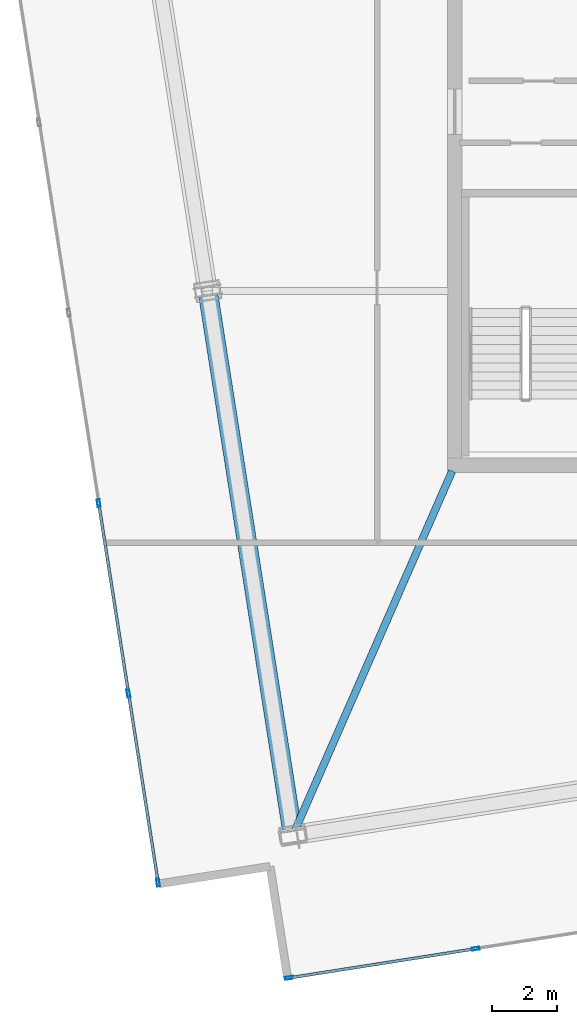
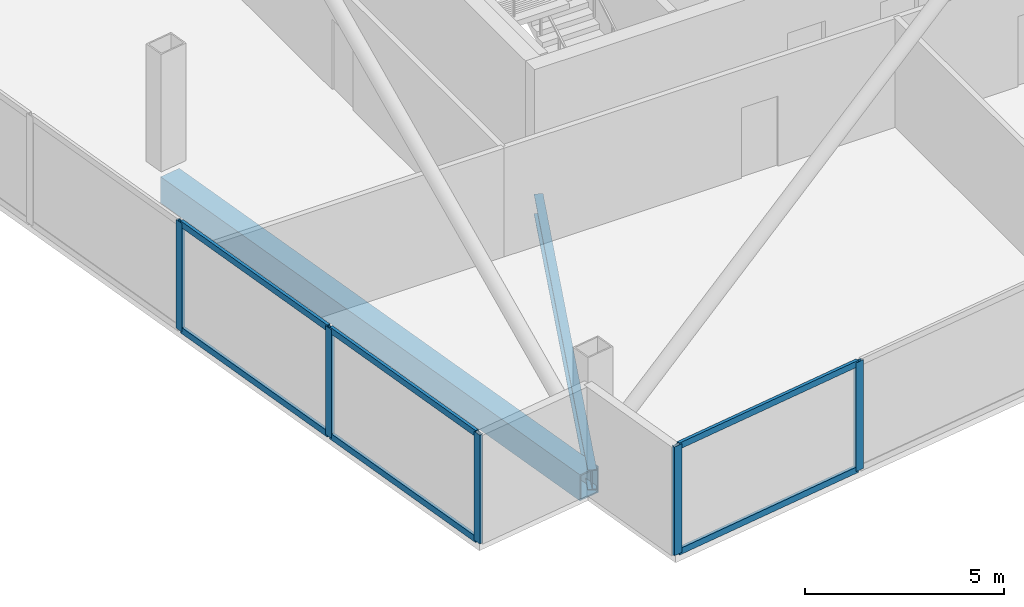
# One storey, part 2 of 21: 11 members, 2 beams, 2 elements without a shape of their own.
"""IFC4 building model written with IfcOpenShell, lengths in metres."""

from ifc_helpers import new_model, si_unit, direction, frame, origin, origin_2d, place, context, subcontext, project, spatial, hollow_rectangle, i_section, extrude, material, material_profile, profile_set, type_object, element, aggregate, save


model = new_model("IFC4")

# Units and contexts
model_context = context("Model", 3, precision=1e-05, world=origin(), true_north=direction((0.0, 1.0)))
body_context = subcontext(model_context, "Body", "Model", "MODEL_VIEW")
ifc_project = project(units=[si_unit("LENGTHUNIT", "METRE"), si_unit("AREAUNIT", "SQUARE_METRE"), si_unit("VOLUMEUNIT", "CUBIC_METRE"), si_unit("PLANEANGLEUNIT", "RADIAN"), si_unit("MASSUNIT", "GRAM", prefix="KILO")], contexts=[model_context])

# Site, building, storey
site_placement = place(None, origin())
site = spatial("IfcSite", under=ifc_project, at=site_placement, CompositionType="ELEMENT")
building_placement = place(site_placement, origin())
building = spatial("IfcBuilding", under=site, at=building_placement, Name="Haldenkirk Collegiate Tower", CompositionType="ELEMENT")
storey_placement = place(building_placement, frame((0.0, 0.0, 360.60009765625)))
storey = spatial("IfcBuildingStorey", under=building, at=storey_placement, Name="L91", CompositionType="ELEMENT", Elevation=360.60009765625)

# Beams
ifc_material_1 = material(Name="Steel ASTM A992 Grade 50", Category="steel")
ifc_material_profile_1 = material_profile(ifc_material_1, i_section(OverallWidth=0.22998046875, OverallDepth=0.616943359375, WebThickness=0.01318359375, FlangeThickness=0.022216796875, at=origin_2d()), Name="W24X94")
ifc_profile_set_1 = profile_set([ifc_material_profile_1], Name="Steel ASTM A992 Grade 50")
beam_type_1 = type_object("IfcBeamType", Name="BM-GIRDER-W24X94", PredefinedType="BEAM", material=ifc_profile_set_1)
beam_1_placement = place(storey_placement, frame((22.05078125, 6.685791015625, -0.57861328125), z_axis=(0.400769288395, 0.916179009517, 0.0), x_axis=(-0.916179009517, 0.400769288395, 0.0)))
element("IfcBeam", 1, at=beam_1_placement, inside=storey, type_object=beam_type_1, Name="L91 crown radial floor beam 7", PredefinedType="BEAM", context=body_context, shape_type="SweptSolid", body=[
    extrude(i_section(OverallWidth=0.22998046875, OverallDepth=0.616943359375, WebThickness=0.01318359375, FlangeThickness=0.022216796875, at=origin_2d()), origin(), (0.0, 0.0, 1.0), 12.1494140625),
])
ifc_material_2 = material(Name="Steel ASTM A572 Grade 50", Category="steel")
ifc_material_profile_2 = material_profile(ifc_material_2, hollow_rectangle(XDim=0.60009765625, YDim=0.800048828125, WallThickness=0.0400390625, at=origin_2d()), Name="BOX800X600X40")
ifc_profile_set_2 = profile_set([ifc_material_profile_2], Name="Steel ASTM A572 Grade 50")
beam_type_2 = type_object("IfcBeamType", Name="BM-SPANDREL-BOX800X600X40", PredefinedType="SPANDREL", material=ifc_profile_set_2)
beam_2_placement = place(storey_placement, frame((19.376220703125, 23.244873046875, -0.670166015625), z_axis=(0.154705009471, -0.987960707743, 0.0), x_axis=(0.987960707743, 0.154705009471, 0.0)))
element("IfcBeam", 2, at=beam_2_placement, inside=storey, type_object=beam_type_2, Name="L91 Crown Ring Frame perimeter girder 6", PredefinedType="SPANDREL", context=body_context, shape_type="SweptSolid", body=[
    extrude(hollow_rectangle(XDim=0.60009765625, YDim=0.800048828125, WallThickness=0.0400390625, at=origin_2d()), origin(), (0.0, 0.0, 1.0), 16.75),
])

# Curtain wall, members
ifc_material_3 = material(Name="Anodised architectural bronze aluminium", Category="aluminium")
curtain_wall_type = type_object("IfcCurtainWallType", Name="CW-SYS6-CROWN", PredefinedType="USERDEFINED", material=ifc_material_3)
curtain_wall_1_placement = place(storey_placement, origin())
curtain_wall_1 = element("IfcCurtainWall", 3, at=curtain_wall_1_placement, inside=storey, type_object=curtain_wall_type, Name="L91 Closed crown ring ceramic-fritted bronze screen curtain wall", ObjectType="UNITISED CURTAIN WALL", PredefinedType="USERDEFINED")
ifc_material_profile_3 = material_profile(ifc_material_3, hollow_rectangle(XDim=0.090087890625, YDim=0.239990234375, WallThickness=0.0048828125, at=origin_2d()), Name="CW-MUL-06")
ifc_profile_set_3 = profile_set([ifc_material_profile_3], Name="Anodised architectural bronze aluminium")
member_type_1 = type_object("IfcMemberType", Name="CW-MUL-06", PredefinedType="MULLION", material=ifc_profile_set_3)
member_1_placement = place(storey_placement, frame((17.817626953125, 5.080078125, 0.0), z_axis=(0.0, 0.0, 1.0), x_axis=(-0.987959532462, -0.154712514742, 0.0)))
member_1 = element("IfcMember", 4, at=member_1_placement, type_object=member_type_1, Name="CW-06 mullion 1", PredefinedType="MULLION", context=body_context, shape_type="SweptSolid", body=[
    extrude(hollow_rectangle(XDim=0.090087890625, YDim=0.239990234375, WallThickness=0.0048828125, at=origin_2d()), origin(), (0.0, 0.0, 1.0), 3.329833984375),
])
member_2_placement = place(storey_placement, frame((16.9013671875, 10.930419921875, 0.0), z_axis=(0.0, 0.0, 1.0), x_axis=(-0.987959532462, -0.154712514742, 0.0)))
member_2 = element("IfcMember", 5, at=member_2_placement, type_object=member_type_1, Name="CW-06 mullion 2", PredefinedType="MULLION", context=body_context, shape_type="SweptSolid", body=[
    extrude(hollow_rectangle(XDim=0.090087890625, YDim=0.239990234375, WallThickness=0.0048828125, at=origin_2d()), origin(), (0.0, 0.0, 1.0), 3.329833984375),
])
member_3_placement = place(storey_placement, frame((15.978271484375, 16.825439453125, 0.0), z_axis=(0.0, 0.0, 1.0), x_axis=(-0.987959532462, -0.154712514742, 0.0)))
member_3 = element("IfcMember", 6, at=member_3_placement, type_object=member_type_1, Name="CW-06 mullion 3", PredefinedType="MULLION", context=body_context, shape_type="SweptSolid", body=[
    extrude(hollow_rectangle(XDim=0.090087890625, YDim=0.239990234375, WallThickness=0.0048828125, at=origin_2d()), origin(), (0.0, 0.0, 1.0), 3.329833984375),
])

curtain_wall_2_placement = place(storey_placement, origin())
curtain_wall_2 = element("IfcCurtainWall", 7, at=curtain_wall_2_placement, inside=storey, type_object=curtain_wall_type, Name="L91 Closed crown ring ceramic-fritted bronze screen curtain wall", ObjectType="UNITISED CURTAIN WALL", PredefinedType="USERDEFINED")
member_4_placement = place(storey_placement, frame((27.65283203125, 3.031982421875, 0.0), z_axis=(0.0, 0.0, 1.0), x_axis=(0.154708982189, -0.987960085646, 0.0)))
member_4 = element("IfcMember", 8, at=member_4_placement, type_object=member_type_1, Name="CW-06 mullion 6", PredefinedType="MULLION", context=body_context, shape_type="SweptSolid", body=[
    extrude(hollow_rectangle(XDim=0.090087890625, YDim=0.239990234375, WallThickness=0.0048828125, at=origin_2d()), origin(), (0.0, 0.0, 1.0), 3.329833984375),
])
member_5_placement = place(storey_placement, frame((21.868408203125, 2.126220703125, 0.0), z_axis=(0.0, 0.0, 1.0), x_axis=(0.154708982189, -0.987960085646, 0.0)))
member_5 = element("IfcMember", 9, at=member_5_placement, type_object=member_type_1, Name="CW-06 mullion 7", PredefinedType="MULLION", context=body_context, shape_type="SweptSolid", body=[
    extrude(hollow_rectangle(XDim=0.090087890625, YDim=0.239990234375, WallThickness=0.0048828125, at=origin_2d()), origin(), (0.0, 0.0, 1.0), 3.329833984375),
])

# Member
ifc_material_profile_4 = material_profile(ifc_material_3, hollow_rectangle(XDim=0.090087890625, YDim=0.18994140625, WallThickness=0.0048828125, at=origin_2d()), Name="CW-TRN-06")
ifc_profile_set_4 = profile_set([ifc_material_profile_4], Name="Anodised architectural bronze aluminium")
member_type_2 = type_object("IfcMemberType", Name="CW-TRN-06", PredefinedType="USERDEFINED", material=ifc_profile_set_4)
member_6_placement = place(storey_placement, frame((17.810791015625, 5.12451171875, 0.044921875), z_axis=(-0.154730622105, 0.987956696714, 0.0), x_axis=(-0.987956696714, -0.154730622105, 0.0)))
member_6 = element("IfcMember", 10, at=member_6_placement, type_object=member_type_2, Name="CW-06 transom 1.1", ObjectType="TRANSOM", PredefinedType="USERDEFINED", context=body_context, shape_type="SweptSolid", body=[
    extrude(hollow_rectangle(XDim=0.090087890625, YDim=0.18994140625, WallThickness=0.0048828125, at=origin_2d()), origin(), (0.0, 0.0, 1.0), 5.831787109375),
])

member_7_placement = place(storey_placement, frame((17.810791015625, 5.12451171875, 3.284912109375), z_axis=(-0.154730622105, 0.987956696714, 0.0), x_axis=(-0.987956696714, -0.154730622105, 0.0)))
member_7 = element("IfcMember", 11, at=member_7_placement, type_object=member_type_2, Name="CW-06 transom 1.2", ObjectType="TRANSOM", PredefinedType="USERDEFINED", context=body_context, shape_type="SweptSolid", body=[
    extrude(hollow_rectangle(XDim=0.090087890625, YDim=0.18994140625, WallThickness=0.0048828125, at=origin_2d()), origin(), (0.0, 0.0, 1.0), 5.831787109375),
])

member_8_placement = place(storey_placement, frame((16.89453125, 10.974853515625, 0.044921875), z_axis=(-0.154710174658, 0.987959898912, 0.0), x_axis=(-0.987959898912, -0.154710174658, 0.0)))
member_8 = element("IfcMember", 12, at=member_8_placement, type_object=member_type_2, Name="CW-06 transom 2.1", ObjectType="TRANSOM", PredefinedType="USERDEFINED", context=body_context, shape_type="SweptSolid", body=[
    extrude(hollow_rectangle(XDim=0.090087890625, YDim=0.18994140625, WallThickness=0.0048828125, at=origin_2d()), origin(), (0.0, 0.0, 1.0), 5.876708984375),
])

member_9_placement = place(storey_placement, frame((16.89453125, 10.974853515625, 3.284912109375), z_axis=(-0.154710174658, 0.987959898912, 0.0), x_axis=(-0.987959898912, -0.154710174658, 0.0)))
member_9 = element("IfcMember", 13, at=member_9_placement, type_object=member_type_2, Name="CW-06 transom 2.2", ObjectType="TRANSOM", PredefinedType="USERDEFINED", context=body_context, shape_type="SweptSolid", body=[
    extrude(hollow_rectangle(XDim=0.090087890625, YDim=0.18994140625, WallThickness=0.0048828125, at=origin_2d()), origin(), (0.0, 0.0, 1.0), 5.876708984375),
])

aggregate(curtain_wall_1, [member_1, member_2, member_3, member_6, member_7, member_8, member_9])

member_10_placement = place(storey_placement, frame((27.6083984375, 3.025146484375, 0.044921875), z_axis=(-0.987961315074, -0.154701130951, 0.0), x_axis=(0.154701130951, -0.987961315074, 0.0)))
member_10 = element("IfcMember", 14, at=member_10_placement, type_object=member_type_2, Name="CW-06 transom 6.1", ObjectType="TRANSOM", PredefinedType="USERDEFINED", context=body_context, shape_type="SweptSolid", body=[
    extrude(hollow_rectangle(XDim=0.090087890625, YDim=0.18994140625, WallThickness=0.0048828125, at=origin_2d()), origin(), (0.0, 0.0, 1.0), 5.764892578125),
])

member_11_placement = place(storey_placement, frame((27.6083984375, 3.025146484375, 3.284912109375), z_axis=(-0.987961315074, -0.154701130951, 0.0), x_axis=(0.154701130951, -0.987961315074, 0.0)))
member_11 = element("IfcMember", 15, at=member_11_placement, type_object=member_type_2, Name="CW-06 transom 6.2", ObjectType="TRANSOM", PredefinedType="USERDEFINED", context=body_context, shape_type="SweptSolid", body=[
    extrude(hollow_rectangle(XDim=0.090087890625, YDim=0.18994140625, WallThickness=0.0048828125, at=origin_2d()), origin(), (0.0, 0.0, 1.0), 5.764892578125),
])

aggregate(curtain_wall_2, [member_4, member_5, member_10, member_11])

save(model, "model.ifc")
